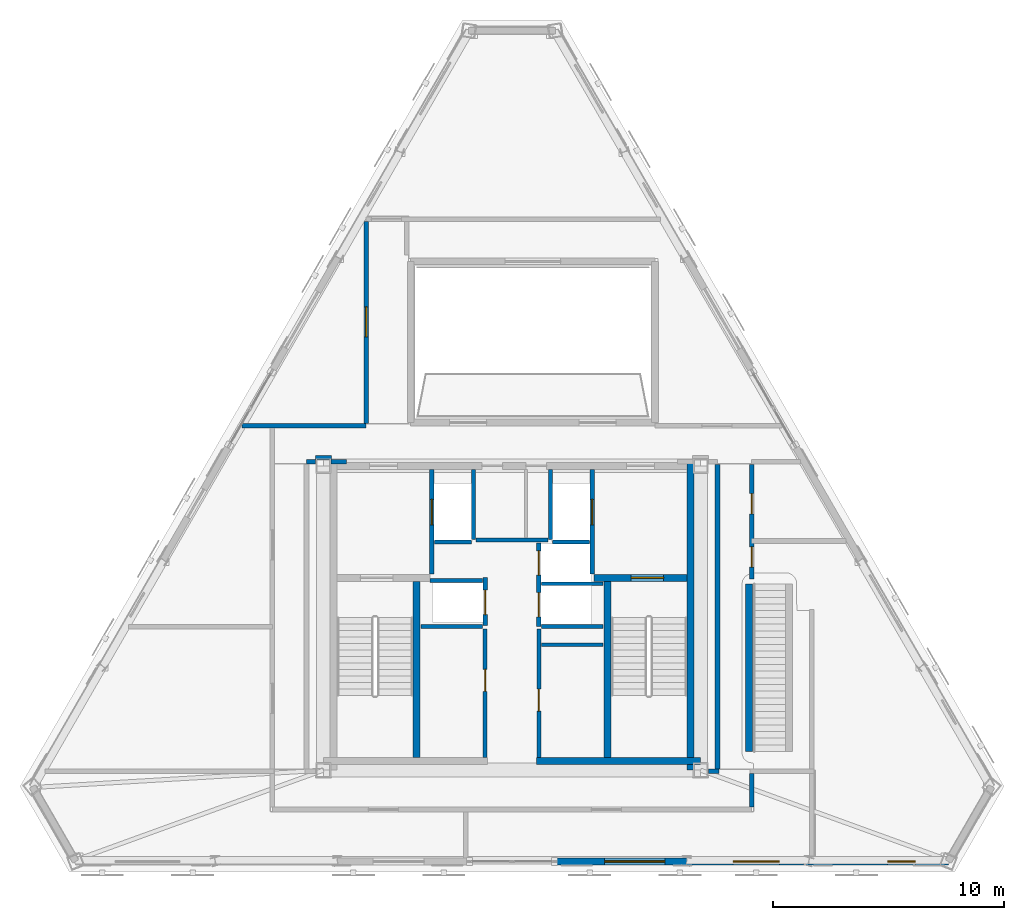
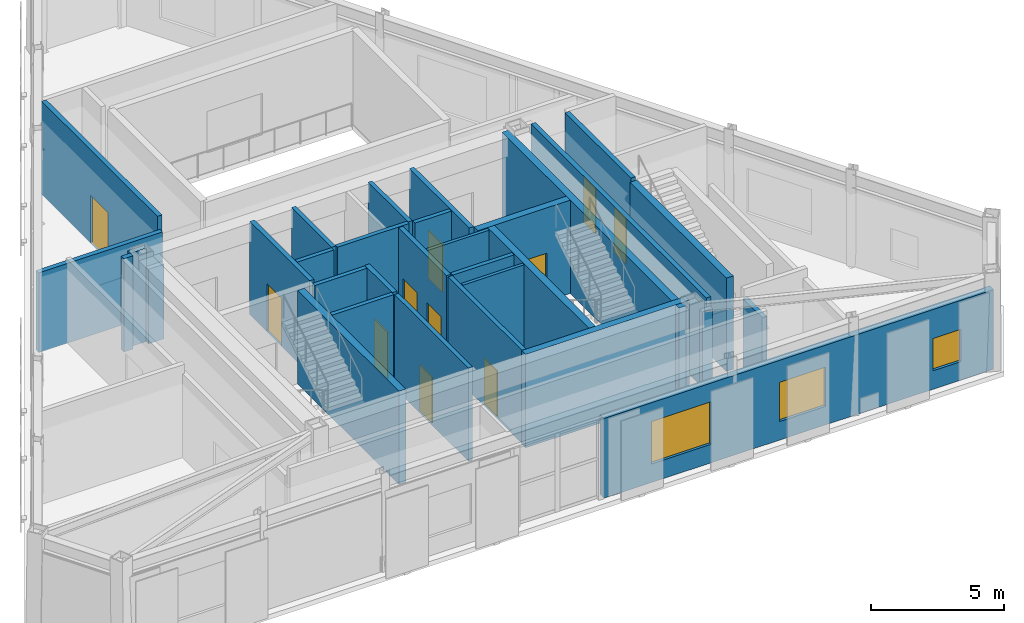
# One storey, part 10 of 15: 32 walls, 11 doors, 3 windows, 14 openings.
"""IFC4 building model written with IfcOpenShell, lengths in metres."""

from ifc_helpers import new_model, si_unit, direction, frame, frame_2d, origin, place, context, subcontext, project, spatial, rectangle, extrude, material, layer, layer_set, type_object, element, fill, save


model = new_model("IFC4")

# Units and contexts
model_context = context("Model", 3, precision=1e-05, world=origin(), true_north=direction((0.0, 1.0)))
body_context = subcontext(model_context, "Body", "Model", "MODEL_VIEW")
ifc_project = project(units=[si_unit("LENGTHUNIT", "METRE"), si_unit("AREAUNIT", "SQUARE_METRE"), si_unit("VOLUMEUNIT", "CUBIC_METRE"), si_unit("PLANEANGLEUNIT", "RADIAN"), si_unit("MASSUNIT", "GRAM", prefix="KILO")], contexts=[model_context])

# Site, building, storey
site_placement = place(None, origin())
site = spatial("IfcSite", under=ifc_project, at=site_placement, CompositionType="ELEMENT")
building_placement = place(site_placement, origin())
building = spatial("IfcBuilding", under=site, at=building_placement, Name="Oramaril Tower", CompositionType="ELEMENT")
storey_placement = place(building_placement, frame((0.0, 0.0, 305.10009765625)))
storey = spatial("IfcBuildingStorey", under=building, at=storey_placement, Name="L80", CompositionType="ELEMENT", Elevation=305.10009765625)

# Wall, openings, windows
ifc_material_1 = material(Name="Warm Cream Limestone", Category="masonry")
ifc_layer_1 = layer(ifc_material_1, 0.2900390625)
ifc_layer_set_1 = layer_set([ifc_layer_1], Name="WT-EXT29")
wall_type_1 = type_object("IfcWallType", Name="WT-EXT29", PredefinedType="SOLIDWALL", material=ifc_layer_set_1)
wall_1_placement = place(storey_placement, frame((39.449951171875, 7.0537109375, 0.0), z_axis=(0.0, 0.0, 1.0), x_axis=(1.0, 0.0, 0.0)))
wall_1 = element("IfcWall", 1, at=wall_1_placement, inside=storey, type_object=wall_type_1, Name="L80 Tower Limestone Facade Wall 2R", PredefinedType="SOLIDWALL", context=body_context, shape_type="SweptSolid", body=[
    extrude(rectangle(XDim=16.900390625, YDim=0.2900390625, at=frame_2d((8.4501953125, 0.0))), origin(), (0.0, 0.0, 1.0), 3.657958984375),
])
opening_1_placement = place(wall_1_placement, frame((2.050537109375, 0.0, 0.85009765625)))
opening_1 = element("IfcOpeningElement", 2, at=opening_1_placement, cuts=wall_1, Name="Opening WN-02", PredefinedType="OPENING", context=body_context, shape_type="SweptSolid", body=[
    extrude(rectangle(XDim=2.60009765625, YDim=1.949951171875, at=frame_2d((1.300048828125, 0.97509765625))), frame((0.0, 0.14501953125, 0.0), z_axis=(0.0, -1.0, 0.0), x_axis=(1.0, 0.0, 0.0)), (0.0, 0.0, 1.0), 0.2900390625),
])
opening_2_placement = place(wall_1_placement, frame((7.601318359375, 0.0, 0.85009765625)))
opening_2 = element("IfcOpeningElement", 3, at=opening_2_placement, cuts=wall_1, Name="Opening WN-05", PredefinedType="OPENING", context=body_context, shape_type="SweptSolid", body=[
    extrude(rectangle(XDim=2.0, YDim=1.800048828125, at=frame_2d((1.0, 0.89990234375))), frame((0.0, 0.14501953125, 0.0), z_axis=(0.0, -1.0, 0.0), x_axis=(1.0, 0.0, 0.0)), (0.0, 0.0, 1.0), 0.2900390625),
])
opening_3_placement = place(wall_1_placement, frame((14.274658203125, 0.0, 0.85009765625)))
opening_3 = element("IfcOpeningElement", 4, at=opening_3_placement, cuts=wall_1, Name="Opening WN-09", PredefinedType="OPENING", context=body_context, shape_type="SweptSolid", body=[
    extrude(rectangle(XDim=1.199951171875, YDim=1.47998046875, at=frame_2d((0.60009765625, 0.739990234375))), frame((0.0, 0.14501953125, 0.0), z_axis=(0.0, -1.0, 0.0), x_axis=(1.0, 0.0, 0.0)), (0.0, 0.0, 1.0), 0.2900390625),
])
ifc_material_2 = material(Name="Coastal Low-E Insulated Glass", Category="glass")
window_type_1 = type_object("IfcWindowType", Name="WNT-02", PartitioningType="SINGLE_PANEL", PredefinedType="WINDOW", material=ifc_material_2)
window_1_placement = place(opening_1_placement, origin())
window_1 = element("IfcWindow", 5, at=window_1_placement, inside=storey, type_object=window_type_1, Name="L80 Chicago Bay Window WN-02", OverallHeight=1.949951171875, OverallWidth=2.60009765625, PartitioningType="SINGLE_PANEL", PredefinedType="WINDOW", context=body_context, shape_type="SweptSolid", body=[
    extrude(rectangle(XDim=2.60009765625, YDim=1.949951171875, at=frame_2d((1.300048828125, 0.97509765625))), frame((0.0, 0.030029296875, 0.0), z_axis=(0.0, -1.0, 0.0), x_axis=(1.0, 0.0, 0.0)), (0.0, 0.0, 1.0), 0.06005859375),
])
fill(opening_1, window_1)
ifc_material_3 = material(Name="Coastal Low-E Insulated Glass", Category="glass")
window_type_2 = type_object("IfcWindowType", Name="WNT-05", PartitioningType="SINGLE_PANEL", PredefinedType="WINDOW", material=ifc_material_3)
window_2_placement = place(opening_2_placement, origin())
window_2 = element("IfcWindow", 6, at=window_2_placement, inside=storey, type_object=window_type_2, Name="L80 Chicago Bay Window WN-05", OverallHeight=1.800048828125, OverallWidth=2.0, PartitioningType="SINGLE_PANEL", PredefinedType="WINDOW", context=body_context, shape_type="SweptSolid", body=[
    extrude(rectangle(XDim=2.0, YDim=1.800048828125, at=frame_2d((1.0, 0.89990234375))), frame((0.0, 0.030029296875, 0.0), z_axis=(0.0, -1.0, 0.0), x_axis=(1.0, 0.0, 0.0)), (0.0, 0.0, 1.0), 0.06005859375),
])
fill(opening_2, window_2)
ifc_material_4 = material(Name="Coastal Low-E Insulated Glass", Category="glass")
window_type_3 = type_object("IfcWindowType", Name="WNT-09", PartitioningType="SINGLE_PANEL", PredefinedType="WINDOW", material=ifc_material_4)
window_3_placement = place(opening_3_placement, origin())
window_3 = element("IfcWindow", 7, at=window_3_placement, inside=storey, type_object=window_type_3, Name="L80 Chicago Bay Window WN-09", OverallHeight=1.47998046875, OverallWidth=1.199951171875, PartitioningType="SINGLE_PANEL", PredefinedType="WINDOW", context=body_context, shape_type="SweptSolid", body=[
    extrude(rectangle(XDim=1.199951171875, YDim=1.47998046875, at=frame_2d((0.60009765625, 0.739990234375))), frame((0.0, 0.030029296875, 0.0), z_axis=(0.0, -1.0, 0.0), x_axis=(1.0, 0.0, 0.0)), (0.0, 0.0, 1.0), 0.06005859375),
])
fill(opening_3, window_3)

# Walls
ifc_material_5 = material(Name="Acoustic Gypsum Board Partition")
ifc_layer_2 = layer(ifc_material_5, 0.139892578125)
ifc_layer_set_2 = layer_set([ifc_layer_2], Name="WT-PT14")
wall_type_2 = type_object("IfcWallType", Name="WT-PT14", PredefinedType="PARTITIONING", material=ifc_layer_set_2)
for number, where, z_axis, x_axis, name in (
    (8, (38.780029296875, 19.050048828125, 0.0), (0.0, 0.0, 1.0), (1.0, 0.0, 0.0), "L80 High-Rise Lift H2-H3 Divider"),
    (9, (38.780029296875, 16.419921875, 0.0), (0.0, 0.0, 1.0), (1.0, 0.0, 0.0), "L80 Freed Shaft North Closure"),
):
    element("IfcWall", number, at=place(storey_placement, frame(where, z_axis=z_axis, x_axis=x_axis)), inside=storey, type_object=wall_type_2, Name=name, PredefinedType="PARTITIONING", context=body_context, shape_type="SweptSolid", body=[
        extrude(rectangle(XDim=2.659912109375, YDim=0.139892578125, at=frame_2d((1.330078125, 0.0))), origin(), (0.0, 0.0, 1.0), 4.27978515625),
    ])
ifc_material_6 = material(Name="Autoclaved Cellular Concrete Block", Category="concrete")
ifc_layer_3 = layer(ifc_material_6, 0.179931640625)
ifc_layer_set_3 = layer_set([ifc_layer_3], Name="WT-PT18")
wall_type_3 = type_object("IfcWallType", Name="WT-PT18", PredefinedType="PARTITIONING", material=ifc_layer_set_3)
wall_2_placement = place(storey_placement, frame((35.840087890625, 20.9599609375, 0.0), z_axis=(0.0, 0.0, 1.0), x_axis=(0.0, 1.0, 0.0)))
element("IfcWall", 10, at=wall_2_placement, inside=storey, type_object=wall_type_3, Name="L80 FL-1 East Shaft Wall", PredefinedType="PARTITIONING", context=body_context, shape_type="SweptSolid", body=[
    extrude(rectangle(XDim=3.02001953125, YDim=0.179931640625, at=frame_2d((1.510009765625, 0.0))), origin(), (0.0, 0.0, 1.0), 4.27978515625),
])
wall_3_placement = place(storey_placement, frame((34.159912109375, 20.860107421875, 0.0), z_axis=(0.0, 0.0, 1.0), x_axis=(1.0, 0.0, 0.0)))
element("IfcWall", 11, at=wall_3_placement, inside=storey, type_object=wall_type_3, Name="L80 FL-1 South Shaft Wall", PredefinedType="PARTITIONING", context=body_context, shape_type="SweptSolid", body=[
    extrude(rectangle(XDim=1.580078125, YDim=0.179931640625, at=frame_2d((0.7900390625, 0.0))), origin(), (0.0, 0.0, 1.0), 4.27978515625),
])
wall_4_placement = place(storey_placement, frame((39.159912109375, 20.9599609375, 0.0), z_axis=(0.0, 0.0, 1.0), x_axis=(0.0, 1.0, 0.0)))
element("IfcWall", 12, at=wall_4_placement, inside=storey, type_object=wall_type_3, Name="L80 FL-2 West Shaft Wall", PredefinedType="PARTITIONING", context=body_context, shape_type="SweptSolid", body=[
    extrude(rectangle(XDim=3.02001953125, YDim=0.179931640625, at=frame_2d((1.510009765625, 0.0))), origin(), (0.0, 0.0, 1.0), 4.27978515625),
])
wall_5_placement = place(storey_placement, frame((39.260009765625, 20.860107421875, 0.0), z_axis=(0.0, 0.0, 1.0), x_axis=(1.0, 0.0, 0.0)))
element("IfcWall", 13, at=wall_5_placement, inside=storey, type_object=wall_type_3, Name="L80 FL-2 South Shaft Wall", PredefinedType="PARTITIONING", context=body_context, shape_type="SweptSolid", body=[
    extrude(rectangle(XDim=1.580078125, YDim=0.179931640625, at=frame_2d((0.7900390625, 0.0))), origin(), (0.0, 0.0, 1.0), 4.27978515625),
])
wall_6_placement = place(storey_placement, frame((33.949951171875, 19.199951171875, 0.0), z_axis=(0.0, 0.0, 1.0), x_axis=(1.0, 0.0, 0.0)))
element("IfcWall", 14, at=wall_6_placement, inside=storey, type_object=wall_type_3, Name="L80 High-Rise Lift H1 North Shaft Wall", PredefinedType="PARTITIONING", context=body_context, shape_type="SweptSolid", body=[
    extrude(rectangle(XDim=2.27001953125, YDim=0.179931640625, at=frame_2d((1.135009765625, 0.0))), origin(), (0.0, 0.0, 1.0), 4.27978515625),
])
wall_7_placement = place(storey_placement, frame((33.56005859375, 17.199951171875, 0.0), z_axis=(0.0, 0.0, 1.0), x_axis=(1.0, 0.0, 0.0)))
element("IfcWall", 15, at=wall_7_placement, inside=storey, type_object=wall_type_3, Name="L80 High-Rise Lift H1 South Wall", PredefinedType="PARTITIONING", context=body_context, shape_type="SweptSolid", body=[
    extrude(rectangle(XDim=2.659912109375, YDim=0.179931640625, at=frame_2d((1.330078125, 0.0))), origin(), (0.0, 0.0, 1.0), 4.27978515625),
])

# Wall, opening, door
wall_8_placement = place(storey_placement, frame((36.340087890625, 11.550048828125, 0.0), z_axis=(0.0, 0.0, 1.0), x_axis=(0.0, 1.0, 0.0)))
wall_8 = element("IfcWall", 16, at=wall_8_placement, inside=storey, type_object=wall_type_3, Name="L80 Freed Shaft Study East Wall", PredefinedType="PARTITIONING", context=body_context, shape_type="SweptSolid", body=[
    extrude(rectangle(XDim=5.550048828125, YDim=0.179931640625, at=frame_2d((2.77490234375, 0.0))), origin(), (0.0, 0.0, 1.0), 4.27978515625),
])
opening_4_placement = place(wall_8_placement, frame((2.85009765625, 0.0, 0.0)))
opening_4 = element("IfcOpeningElement", 17, at=opening_4_placement, cuts=wall_8, Name="Opening D-L80-FL1", PredefinedType="OPENING", context=body_context, shape_type="SweptSolid", body=[
    extrude(rectangle(XDim=0.949951171875, YDim=2.10009765625, at=frame_2d((0.47509765625, 1.050048828125))), frame((0.0, 0.08984375, 0.0), z_axis=(0.0, -1.0, 0.0), x_axis=(1.0, 0.0, 0.0)), (0.0, 0.0, 1.0), 0.179931640625),
])
ifc_material_7 = material(Name="FSC Brazilian Freijo Hardwood", Category="wood")
door_type_1 = type_object("IfcDoorType", Name="DT-STDY", OperationType="NOTDEFINED", PredefinedType="DOOR", material=ifc_material_7)
door_1_placement = place(opening_4_placement, origin())
door_1 = element("IfcDoor", 18, at=door_1_placement, inside=storey, type_object=door_type_1, Name="L80 L80 Observatory Archive Room Door", OperationType="SINGLE_SWING_LEFT", OverallHeight=2.10009765625, OverallWidth=0.949951171875, PredefinedType="DOOR", context=body_context, shape_type="SweptSolid", body=[
    extrude(rectangle(XDim=0.949951171875, YDim=2.10009765625, at=frame_2d((0.47509765625, 1.050048828125))), frame((0.0, 0.02490234375, 0.0), z_axis=(0.0, -1.0, 0.0), x_axis=(1.0, 0.0, 0.0)), (0.0, 0.0, 1.0), 0.050048828125),
])
fill(opening_4, door_1)

# Wall
wall_9_placement = place(storey_placement, frame((38.780029296875, 17.199951171875, 0.0), z_axis=(0.0, 0.0, 1.0), x_axis=(1.0, 0.0, 0.0)))
element("IfcWall", 19, at=wall_9_placement, inside=storey, type_object=wall_type_3, Name="L80 High-Rise Lift H2 South Wall", PredefinedType="PARTITIONING", context=body_context, shape_type="SweptSolid", body=[
    extrude(rectangle(XDim=2.659912109375, YDim=0.179931640625, at=frame_2d((1.330078125, 0.0))), origin(), (0.0, 0.0, 1.0), 4.27978515625),
])

# Wall, opening, door
wall_10_placement = place(storey_placement, frame((38.659912109375, 11.550048828125, 0.0), z_axis=(0.0, 0.0, 1.0), x_axis=(0.0, 1.0, 0.0)))
wall_10 = element("IfcWall", 20, at=wall_10_placement, inside=storey, type_object=wall_type_3, Name="L80 Freed Shaft Alcove West Wall", PredefinedType="PARTITIONING", context=body_context, shape_type="SweptSolid", body=[
    extrude(rectangle(XDim=5.550048828125, YDim=0.179931640625, at=frame_2d((2.77490234375, 0.0))), origin(), (0.0, 0.0, 1.0), 4.27978515625),
])
opening_5_placement = place(wall_10_placement, frame((2.0, 0.0, 0.0)))
opening_5 = element("IfcOpeningElement", 21, at=opening_5_placement, cuts=wall_10, Name="Opening D-L80-FM1", PredefinedType="OPENING", context=body_context, shape_type="SweptSolid", body=[
    extrude(rectangle(XDim=0.949951171875, YDim=2.10009765625, at=frame_2d((0.47509765625, 1.050048828125))), frame((0.0, 0.08984375, 0.0), z_axis=(0.0, -1.0, 0.0), x_axis=(1.0, 0.0, 0.0)), (0.0, 0.0, 1.0), 0.179931640625),
])
door_2_placement = place(opening_5_placement, origin())
door_2 = element("IfcDoor", 22, at=door_2_placement, inside=storey, type_object=door_type_1, Name="L80 L80 Atmospheric Telemetry Office Door", OperationType="SINGLE_SWING_RIGHT", OverallHeight=2.10009765625, OverallWidth=0.949951171875, PredefinedType="DOOR", context=body_context, shape_type="SweptSolid", body=[
    extrude(rectangle(XDim=0.949951171875, YDim=2.10009765625, at=frame_2d((0.47509765625, 1.050048828125))), frame((0.0, 0.02490234375, 0.0), z_axis=(0.0, -1.0, 0.0), x_axis=(1.0, 0.0, 0.0)), (0.0, 0.0, 1.0), 0.050048828125),
])
fill(opening_5, door_2)

# Walls
wall_11_placement = place(storey_placement, frame((35.949951171875, 20.949951171875, 0.0), z_axis=(0.0, 0.0, 1.0), x_axis=(1.0, 0.0, 0.0)))
element("IfcWall", 23, at=wall_11_placement, inside=storey, type_object=wall_type_3, Name="L80 Lift Lobby North Partition", PredefinedType="PARTITIONING", context=body_context, shape_type="SweptSolid", body=[
    extrude(rectangle(XDim=3.10009765625, YDim=0.179931640625, at=frame_2d((1.550048828125, 0.0))), origin(), (0.0, 0.0, 1.0), 4.27978515625),
])
ifc_material_8 = material(Name="Autoclaved Cellular Concrete Block", Category="concrete")
ifc_layer_4 = layer(ifc_material_8, 0.199951171875)
ifc_layer_set_4 = layer_set([ifc_layer_4], Name="WT-PT20")
wall_type_4 = type_object("IfcWallType", Name="WT-PT20", PredefinedType="PARTITIONING", material=ifc_layer_set_4)
wall_12_placement = place(storey_placement, frame((45.989990234375, 10.949951171875, 0.0), z_axis=(0.0, 0.0, 1.0), x_axis=(1.0, 0.0, 0.0)))
element("IfcWall", 24, at=wall_12_placement, inside=storey, type_object=wall_type_4, Name="L80 Interior Partition PT-20", PredefinedType="PARTITIONING", context=body_context, shape_type="SweptSolid", body=[
    extrude(rectangle(XDim=0.449951171875, YDim=0.199951171875, at=frame_2d((0.22509765625, 0.0))), origin(), (0.0, 0.0, 1.0), 3.865966796875),
])
wall_13_placement = place(storey_placement, frame((28.6201171875, 24.320068359375, 0.0), z_axis=(0.0, 0.0, 1.0), x_axis=(1.0, 0.0, 0.0)))
element("IfcWall", 25, at=wall_13_placement, inside=storey, type_object=wall_type_4, Name="L80 Interior Partition PT-20", PredefinedType="PARTITIONING", context=body_context, shape_type="SweptSolid", body=[
    extrude(rectangle(XDim=0.389892578125, YDim=0.199951171875, at=frame_2d((0.19482421875, 0.0))), origin(), (0.0, 0.0, 1.0), 4.27978515625),
])
wall_14_placement = place(storey_placement, frame((29.68994140625, 24.320068359375, 0.0), z_axis=(0.0, 0.0, 1.0), x_axis=(1.0, 0.0, 0.0)))
element("IfcWall", 26, at=wall_14_placement, inside=storey, type_object=wall_type_4, Name="L80 Interior Partition PT-20", PredefinedType="PARTITIONING", context=body_context, shape_type="SweptSolid", body=[
    extrude(rectangle(XDim=0.6650390625, YDim=0.199951171875, at=frame_2d((0.33251953125, 0.0))), origin(), (0.0, 0.0, 1.0), 3.419921875),
])
wall_15_placement = place(storey_placement, frame((29.0048828125, 24.5, 0.0), z_axis=(0.0, 0.0, 1.0), x_axis=(1.0, 0.0, 0.0)))
element("IfcWall", 27, at=wall_15_placement, inside=storey, type_object=wall_type_4, Name="L80 Interior Partition PT-20", PredefinedType="PARTITIONING", context=body_context, shape_type="SweptSolid", body=[
    extrude(rectangle(XDim=0.690185546875, YDim=0.199951171875, at=frame_2d((0.34521484375, 0.0))), origin(), (0.0, 0.0, 1.0), 4.27978515625),
])
wall_16_placement = place(storey_placement, frame((25.836181640625, 25.8798828125, 0.0), z_axis=(0.0, 0.0, 1.0), x_axis=(1.0, 0.0, 0.0)))
element("IfcWall", 28, at=wall_16_placement, inside=storey, type_object=wall_type_4, Name="L80 Interior Partition PT-20", PredefinedType="PARTITIONING", context=body_context, shape_type="SweptSolid", body=[
    extrude(rectangle(XDim=5.36376953125, YDim=0.199951171875, at=frame_2d((2.681884765625, 0.0))), origin(), (0.0, 0.0, 1.0), 3.657958984375),
])

# Wall, opening, door
wall_17_placement = place(storey_placement, frame((31.199951171875, 25.98388671875, 0.0), z_axis=(0.0, 0.0, 1.0), x_axis=(0.0, 1.0, 0.0)))
wall_17 = element("IfcWall", 29, at=wall_17_placement, inside=storey, type_object=wall_type_4, Name="L80 Interior Partition PT-20", PredefinedType="PARTITIONING", context=body_context, shape_type="SweptSolid", body=[
    extrude(rectangle(XDim=8.712158203125, YDim=0.199951171875, at=frame_2d((4.35595703125, 0.0))), origin(), (0.0, 0.0, 1.0), 4.27978515625),
])
opening_6_placement = place(wall_17_placement, frame((3.73095703125, 0.0, 0.0)))
opening_6 = element("IfcOpeningElement", 30, at=opening_6_placement, cuts=wall_17, Name="Opening D-L80-07", PredefinedType="OPENING", context=body_context, shape_type="SweptSolid", body=[
    extrude(rectangle(XDim=1.300048828125, YDim=2.199951171875, at=frame_2d((0.64990234375, 1.10009765625))), frame((0.0, 0.10009765625, 0.0), z_axis=(0.0, -1.0, 0.0), x_axis=(1.0, 0.0, 0.0)), (0.0, 0.0, 1.0), 0.199951171875),
])
ifc_material_9 = material(Name="FSC Brazilian Freijo Hardwood", Category="wood")
door_type_2 = type_object("IfcDoorType", Name="DT-COM", OperationType="NOTDEFINED", PredefinedType="DOOR", material=ifc_material_9)
door_3_placement = place(opening_6_placement, origin())
door_3 = element("IfcDoor", 31, at=door_3_placement, inside=storey, type_object=door_type_2, Name="L80 L80 West Portal Viewing Lounge Door D-L80-07", OperationType="SINGLE_SWING_RIGHT", OverallHeight=2.199951171875, OverallWidth=1.300048828125, PredefinedType="DOOR", context=body_context, shape_type="SweptSolid", body=[
    extrude(rectangle(XDim=1.300048828125, YDim=2.199951171875, at=frame_2d((0.64990234375, 1.10009765625))), frame((0.0, 0.02490234375, 0.0), z_axis=(0.0, -1.0, 0.0), x_axis=(1.0, 0.0, 0.0)), (0.0, 0.0, 1.0), 0.050048828125),
])
fill(opening_6, door_3)

# Walls
wall_18_placement = place(storey_placement, frame((46.3798828125, 11.053955078125, 0.0), z_axis=(0.0, 0.0, 1.0), x_axis=(0.0, 1.0, 0.0)))
element("IfcWall", 32, at=wall_18_placement, inside=storey, type_object=wall_type_4, Name="L80 Interior Partition PT-20", PredefinedType="PARTITIONING", context=body_context, shape_type="SweptSolid", body=[
    extrude(rectangle(XDim=13.162109375, YDim=0.199951171875, at=frame_2d((6.5810546875, 0.0))), origin(), (0.0, 0.0, 1.0), 4.27978515625),
])
wall_19_placement = place(storey_placement, frame((47.85009765625, 9.404052734375, 0.0), z_axis=(0.0, 0.0, 1.0), x_axis=(0.0, 1.0, 0.0)))
element("IfcWall", 33, at=wall_19_placement, inside=storey, type_object=wall_type_4, Name="L80 Interior Partition PT-20", PredefinedType="PARTITIONING", context=body_context, shape_type="SweptSolid", body=[
    extrude(rectangle(XDim=1.44189453125, YDim=0.199951171875, at=frame_2d((0.720947265625, 0.0))), origin(), (0.0, 0.0, 1.0), 3.865966796875),
])

# Wall, openings, doors
wall_20_placement = place(storey_placement, frame((47.85009765625, 19.267822265625, 0.0), z_axis=(0.0, 0.0, 1.0), x_axis=(0.0, 1.0, 0.0)))
wall_20 = element("IfcWall", 34, at=wall_20_placement, inside=storey, type_object=wall_type_4, Name="L80 Interior Partition PT-20", PredefinedType="PARTITIONING", context=body_context, shape_type="SweptSolid", body=[
    extrude(rectangle(XDim=4.9482421875, YDim=0.199951171875, at=frame_2d((2.47412109375, 0.0))), origin(), (0.0, 0.0, 1.0), 4.27978515625),
])
opening_7_placement = place(wall_20_placement, frame((0.50048828125, 0.0, 0.0)))
opening_7 = element("IfcOpeningElement", 35, at=opening_7_placement, cuts=wall_20, Name="Opening D-L80-08", PredefinedType="OPENING", context=body_context, shape_type="SweptSolid", body=[
    extrude(rectangle(XDim=0.8798828125, YDim=2.080078125, at=frame_2d((0.43994140625, 1.0400390625))), frame((0.0, 0.10009765625, 0.0), z_axis=(0.0, -1.0, 0.0), x_axis=(1.0, 0.0, 0.0)), (0.0, 0.0, 1.0), 0.199951171875),
])
opening_8_placement = place(wall_20_placement, frame((2.802978515625, 0.0, 0.0)))
opening_8 = element("IfcOpeningElement", 36, at=opening_8_placement, cuts=wall_20, Name="Opening D-L80-09", PredefinedType="OPENING", context=body_context, shape_type="SweptSolid", body=[
    extrude(rectangle(XDim=0.8798828125, YDim=2.080078125, at=frame_2d((0.43994140625, 1.0400390625))), frame((0.0, 0.10009765625, 0.0), z_axis=(0.0, -1.0, 0.0), x_axis=(1.0, 0.0, 0.0)), (0.0, 0.0, 1.0), 0.199951171875),
])
ifc_material_10 = material(Name="FSC Brazilian Freijo Hardwood", Category="wood")
door_type_3 = type_object("IfcDoorType", Name="DT-BATH", OperationType="NOTDEFINED", PredefinedType="DOOR", material=ifc_material_10)
door_4_placement = place(opening_7_placement, origin())
door_4 = element("IfcDoor", 37, at=door_4_placement, inside=storey, type_object=door_type_3, Name="L80 L80 Crown Exhibition Gallery Door D-L80-08", OperationType="SINGLE_SWING_LEFT", OverallHeight=2.080078125, OverallWidth=0.8798828125, PredefinedType="DOOR", context=body_context, shape_type="SweptSolid", body=[
    extrude(rectangle(XDim=0.8798828125, YDim=2.080078125, at=frame_2d((0.43994140625, 1.0400390625))), frame((0.0, 0.02490234375, 0.0), z_axis=(0.0, -1.0, 0.0), x_axis=(1.0, 0.0, 0.0)), (0.0, 0.0, 1.0), 0.050048828125),
])
fill(opening_7, door_4)
door_5_placement = place(opening_8_placement, origin())
door_5 = element("IfcDoor", 38, at=door_5_placement, inside=storey, type_object=door_type_3, Name="L80 L80 Observatory Washroom WC Door D-L80-09", OperationType="SINGLE_SWING_RIGHT", OverallHeight=2.080078125, OverallWidth=0.8798828125, PredefinedType="DOOR", context=body_context, shape_type="SweptSolid", body=[
    extrude(rectangle(XDim=0.8798828125, YDim=2.080078125, at=frame_2d((0.43994140625, 1.0400390625))), frame((0.0, 0.02490234375, 0.0), z_axis=(0.0, -1.0, 0.0), x_axis=(1.0, 0.0, 0.0)), (0.0, 0.0, 1.0), 0.050048828125),
])
fill(opening_8, door_5)

# Walls
ifc_material_11 = material(Name="Concrete C50/60", Category="concrete")
ifc_layer_5 = layer(ifc_material_11, 0.300048828125)
ifc_layer_set_5 = layer_set([ifc_layer_5], Name="WT-SH30")
wall_type_5 = type_object("IfcWallType", Name="WT-SH30", PredefinedType="SHEAR", material=ifc_layer_set_5)
wall_21_placement = place(storey_placement, frame((45.2099609375, 11.0, 0.0), z_axis=(0.0, 0.0, 1.0), x_axis=(0.0, 1.0, 0.0)))
element("IfcWall", 39, at=wall_21_placement, inside=storey, type_object=wall_type_5, Name="L80 Core Shear Wall CW-E", PredefinedType="SHEAR", context=body_context, shape_type="SweptSolid", body=[
    extrude(rectangle(XDim=13.300048828125, YDim=0.300048828125, at=frame_2d((6.64990234375, 0.0))), origin(), (0.0, 0.0, 1.0), 4.27978515625),
])
wall_22_placement = place(storey_placement, frame((38.550048828125, 11.389892578125, 0.0), z_axis=(0.0, 0.0, 1.0), x_axis=(1.0, 0.0, 0.0)))
element("IfcWall", 40, at=wall_22_placement, inside=storey, type_object=wall_type_5, Name="L80 Core Shear Wall CW-SE", PredefinedType="SHEAR", context=body_context, shape_type="SweptSolid", body=[
    extrude(rectangle(XDim=7.099853515625, YDim=0.300048828125, at=frame_2d((3.5498046875, 0.0))), origin(), (0.0, 0.0, 1.0), 4.27978515625),
])

# Wall, opening, door
wall_23_placement = place(storey_placement, frame((41.050048828125, 19.31005859375, 0.0), z_axis=(0.0, 0.0, 1.0), x_axis=(1.0, 0.0, 0.0)))
wall_23 = element("IfcWall", 41, at=wall_23_placement, inside=storey, type_object=wall_type_5, Name="L80 Core Shear Wall CW-ST2N", PredefinedType="SHEAR", context=body_context, shape_type="SweptSolid", body=[
    extrude(rectangle(XDim=4.010009765625, YDim=0.300048828125, at=frame_2d((2.0048828125, 0.0))), origin(), (0.0, 0.0, 1.0), 4.27978515625),
])
opening_9_placement = place(wall_23_placement, frame((1.60009765625, 0.0, 0.0)))
opening_9 = element("IfcOpeningElement", 42, at=opening_9_placement, cuts=wall_23, Name="Opening D-L80-ST2", PredefinedType="OPENING", context=body_context, shape_type="SweptSolid", body=[
    extrude(rectangle(XDim=1.39990234375, YDim=2.199951171875, at=frame_2d((0.699951171875, 1.10009765625))), frame((0.0, 0.14990234375, 0.0), z_axis=(0.0, -1.0, 0.0), x_axis=(1.0, 0.0, 0.0)), (0.0, 0.0, 1.0), 0.300048828125),
])
ifc_material_12 = material(Name="Painted Galvanised Steel", Category="steel")
door_type_4 = type_object("IfcDoorType", Name="DT-ST", OperationType="NOTDEFINED", PredefinedType="DOOR", material=ifc_material_12)
door_6_placement = place(opening_9_placement, origin())
door_6 = element("IfcDoor", 43, at=door_6_placement, inside=storey, type_object=door_type_4, Name="L80 Protected Stair ST-2 Fire Door", OperationType="SINGLE_SWING_RIGHT", OverallHeight=2.199951171875, OverallWidth=1.39990234375, PredefinedType="DOOR", context=body_context, shape_type="SweptSolid", body=[
    extrude(rectangle(XDim=1.39990234375, YDim=2.199951171875, at=frame_2d((0.699951171875, 1.10009765625))), frame((0.0, 0.02490234375, 0.0), z_axis=(0.0, -1.0, 0.0), x_axis=(1.0, 0.0, 0.0)), (0.0, 0.0, 1.0), 0.050048828125),
])
fill(opening_9, door_6)

# Walls
for number, where, z_axis, x_axis, name in (
    (44, (33.3798828125, 11.5400390625, 0.0), (0.0, 0.0, 1.0), (0.0, 1.0, 0.0), "L80 Core Shear Wall CW-ST1E"),
    (45, (41.6201171875, 11.5400390625, 0.0), (0.0, 0.0, 1.0), (0.0, 1.0, 0.0), "L80 Core Shear Wall CW-ST2W"),
):
    element("IfcWall", number, at=place(storey_placement, frame(where, z_axis=z_axis, x_axis=x_axis)), inside=storey, type_object=wall_type_5, Name=name, PredefinedType="SHEAR", context=body_context, shape_type="SweptSolid", body=[
        extrude(rectangle(XDim=7.619873046875, YDim=0.300048828125, at=frame_2d((3.81005859375, 0.0))), origin(), (0.0, 0.0, 1.0), 4.27978515625),
    ])
wall_24_placement = place(storey_placement, frame((47.735107421875, 11.800048828125, 0.0), z_axis=(0.0, 0.0, 1.0), x_axis=(0.0, 1.0, 0.0)))
element("IfcWall", 46, at=wall_24_placement, inside=storey, type_object=wall_type_5, Name="L80 Feature Stair ST-8 Support Wall L", PredefinedType="SHEAR", context=body_context, shape_type="SweptSolid", body=[
    extrude(rectangle(XDim=7.25, YDim=0.300048828125, at=frame_2d((3.625, 0.0))), origin(), (0.0, 0.0, 1.0), 4.27978515625),
])

# Wall, opening, door
ifc_material_13 = material(Name="Autoclaved Cellular Concrete Block", Category="concrete")
ifc_layer_6 = layer(ifc_material_13, 0.199951171875)
ifc_layer_set_6 = layer_set([ifc_layer_6], Name="WT-SHF20")
wall_type_6 = type_object("IfcWallType", Name="WT-SHF20", PredefinedType="PARTITIONING", material=ifc_layer_set_6)
wall_25_placement = place(storey_placement, frame((34.0400390625, 19.47998046875, 0.0), z_axis=(0.0, 0.0, 1.0), x_axis=(0.0, 1.0, 0.0)))
wall_25 = element("IfcWall", 47, at=wall_25_placement, inside=storey, type_object=wall_type_6, Name="L80 FL-1 Lobby Shaft Wall", PredefinedType="PARTITIONING", context=body_context, shape_type="SweptSolid", body=[
    extrude(rectangle(XDim=4.5, YDim=0.199951171875, at=frame_2d((2.25, 0.0))), origin(), (0.0, 0.0, 1.0), 4.27978515625),
])
opening_10_placement = place(wall_25_placement, frame((2.1201171875, 0.0, 0.0)))
opening_10 = element("IfcOpeningElement", 48, at=opening_10_placement, cuts=wall_25, Name="Opening LD-L80-FL-1", PredefinedType="OPENING", context=body_context, shape_type="SweptSolid", body=[
    extrude(rectangle(XDim=1.10009765625, YDim=2.199951171875, at=frame_2d((0.550048828125, 1.10009765625))), frame((0.0, 0.10009765625, 0.0), z_axis=(0.0, -1.0, 0.0), x_axis=(1.0, 0.0, 0.0)), (0.0, 0.0, 1.0), 0.199951171875),
])
ifc_material_14 = material(Name="Stainless Steel 316L", Category="steel")
door_type_5 = type_object("IfcDoorType", Name="DT-LD1", OperationType="NOTDEFINED", PredefinedType="DOOR", material=ifc_material_14)
door_7_placement = place(opening_10_placement, origin())
door_7 = element("IfcDoor", 49, at=door_7_placement, inside=storey, type_object=door_type_5, Name="L80 Lift FL-1 Sliding Landing Door", OperationType="SLIDING_TO_LEFT", OverallHeight=2.199951171875, OverallWidth=1.10009765625, PredefinedType="DOOR", context=body_context, shape_type="SweptSolid", body=[
    extrude(rectangle(XDim=1.10009765625, YDim=2.199951171875, at=frame_2d((0.550048828125, 1.10009765625))), frame((0.0, 0.02490234375, 0.0), z_axis=(0.0, -1.0, 0.0), x_axis=(1.0, 0.0, 0.0)), (0.0, 0.0, 1.0), 0.050048828125),
])
fill(opening_10, door_7)

wall_26_placement = place(storey_placement, frame((40.9599609375, 19.47998046875, 0.0), z_axis=(0.0, 0.0, 1.0), x_axis=(0.0, 1.0, 0.0)))
wall_26 = element("IfcWall", 50, at=wall_26_placement, inside=storey, type_object=wall_type_6, Name="L80 FL-2 Lobby Shaft Wall", PredefinedType="PARTITIONING", context=body_context, shape_type="SweptSolid", body=[
    extrude(rectangle(XDim=4.5, YDim=0.199951171875, at=frame_2d((2.25, 0.0))), origin(), (0.0, 0.0, 1.0), 4.27978515625),
])
opening_11_placement = place(wall_26_placement, frame((2.1201171875, 0.0, 0.0)))
opening_11 = element("IfcOpeningElement", 51, at=opening_11_placement, cuts=wall_26, Name="Opening LD-L80-FL-2", PredefinedType="OPENING", context=body_context, shape_type="SweptSolid", body=[
    extrude(rectangle(XDim=1.10009765625, YDim=2.199951171875, at=frame_2d((0.550048828125, 1.10009765625))), frame((0.0, 0.10009765625, 0.0), z_axis=(0.0, -1.0, 0.0), x_axis=(1.0, 0.0, 0.0)), (0.0, 0.0, 1.0), 0.199951171875),
])
door_8_placement = place(opening_11_placement, origin())
door_8 = element("IfcDoor", 52, at=door_8_placement, inside=storey, type_object=door_type_5, Name="L80 Lift FL-2 Sliding Landing Door", OperationType="SLIDING_TO_RIGHT", OverallHeight=2.199951171875, OverallWidth=1.10009765625, PredefinedType="DOOR", context=body_context, shape_type="SweptSolid", body=[
    extrude(rectangle(XDim=1.10009765625, YDim=2.199951171875, at=frame_2d((0.550048828125, 1.10009765625))), frame((0.0, 0.02490234375, 0.0), z_axis=(0.0, -1.0, 0.0), x_axis=(1.0, 0.0, 0.0)), (0.0, 0.0, 1.0), 0.050048828125),
])
fill(opening_11, door_8)

wall_27_placement = place(storey_placement, frame((36.340087890625, 17.25, 0.0), z_axis=(0.0, 0.0, 1.0), x_axis=(0.0, 1.0, 0.0)))
wall_27 = element("IfcWall", 53, at=wall_27_placement, inside=storey, type_object=wall_type_6, Name="L80 High-Rise Lift H1 Front Wall", PredefinedType="PARTITIONING", context=body_context, shape_type="SweptSolid", body=[
    extrude(rectangle(XDim=2.070068359375, YDim=0.199951171875, at=frame_2d((1.03515625, 0.0))), origin(), (0.0, 0.0, 1.0), 4.27978515625),
])
opening_12_placement = place(wall_27_placement, frame((0.47509765625, 0.0, 0.0)))
opening_12 = element("IfcOpeningElement", 54, at=opening_12_placement, cuts=wall_27, Name="Opening LD-L80-LP-H1", PredefinedType="OPENING", context=body_context, shape_type="SweptSolid", body=[
    extrude(rectangle(XDim=1.050048828125, YDim=2.14990234375, at=frame_2d((0.52490234375, 1.074951171875))), frame((0.0, 0.10009765625, 0.0), z_axis=(0.0, -1.0, 0.0), x_axis=(1.0, 0.0, 0.0)), (0.0, 0.0, 1.0), 0.199951171875),
])
ifc_material_15 = material(Name="Stainless Steel 316L", Category="steel")
door_type_6 = type_object("IfcDoorType", Name="DT-LD2", OperationType="NOTDEFINED", PredefinedType="DOOR", material=ifc_material_15)
door_9_placement = place(opening_12_placement, origin())
door_9 = element("IfcDoor", 55, at=door_9_placement, inside=storey, type_object=door_type_6, Name="L80 Lift LP-H1 Sliding Landing Door", OperationType="SLIDING_TO_LEFT", OverallHeight=2.14990234375, OverallWidth=1.050048828125, PredefinedType="DOOR", context=body_context, shape_type="SweptSolid", body=[
    extrude(rectangle(XDim=1.050048828125, YDim=2.14990234375, at=frame_2d((0.52490234375, 1.074951171875))), frame((0.0, 0.02490234375, 0.0), z_axis=(0.0, -1.0, 0.0), x_axis=(1.0, 0.0, 0.0)), (0.0, 0.0, 1.0), 0.050048828125),
])
fill(opening_12, door_9)

# Wall, openings, doors
wall_28_placement = place(storey_placement, frame((38.659912109375, 17.199951171875, 0.0), z_axis=(0.0, 0.0, 1.0), x_axis=(0.0, 1.0, 0.0)))
wall_28 = element("IfcWall", 56, at=wall_28_placement, inside=storey, type_object=wall_type_6, Name="L80 High-Rise Lift H2-H3 Front Wall", PredefinedType="PARTITIONING", context=body_context, shape_type="SweptSolid", body=[
    extrude(rectangle(XDim=3.6201171875, YDim=0.199951171875, at=frame_2d((1.81005859375, 0.0))), origin(), (0.0, 0.0, 1.0), 4.27978515625),
])
opening_13_placement = place(wall_28_placement, frame((0.425048828125, 0.0, 0.0)))
opening_13 = element("IfcOpeningElement", 57, at=opening_13_placement, cuts=wall_28, Name="Opening LD-L80-LP-H2", PredefinedType="OPENING", context=body_context, shape_type="SweptSolid", body=[
    extrude(rectangle(XDim=1.050048828125, YDim=2.14990234375, at=frame_2d((0.52490234375, 1.074951171875))), frame((0.0, 0.10009765625, 0.0), z_axis=(0.0, -1.0, 0.0), x_axis=(1.0, 0.0, 0.0)), (0.0, 0.0, 1.0), 0.199951171875),
])
opening_14_placement = place(wall_28_placement, frame((2.22509765625, 0.0, 0.0)))
opening_14 = element("IfcOpeningElement", 58, at=opening_14_placement, cuts=wall_28, Name="Opening LD-L80-LP-H3", PredefinedType="OPENING", context=body_context, shape_type="SweptSolid", body=[
    extrude(rectangle(XDim=1.050048828125, YDim=2.14990234375, at=frame_2d((0.52490234375, 1.074951171875))), frame((0.0, 0.10009765625, 0.0), z_axis=(0.0, -1.0, 0.0), x_axis=(1.0, 0.0, 0.0)), (0.0, 0.0, 1.0), 0.199951171875),
])
door_10_placement = place(opening_13_placement, origin())
door_10 = element("IfcDoor", 59, at=door_10_placement, inside=storey, type_object=door_type_6, Name="L80 Lift LP-H2 Sliding Landing Door", OperationType="SLIDING_TO_RIGHT", OverallHeight=2.14990234375, OverallWidth=1.050048828125, PredefinedType="DOOR", context=body_context, shape_type="SweptSolid", body=[
    extrude(rectangle(XDim=1.050048828125, YDim=2.14990234375, at=frame_2d((0.52490234375, 1.074951171875))), frame((0.0, 0.02490234375, 0.0), z_axis=(0.0, -1.0, 0.0), x_axis=(1.0, 0.0, 0.0)), (0.0, 0.0, 1.0), 0.050048828125),
])
fill(opening_13, door_10)
door_11_placement = place(opening_14_placement, origin())
door_11 = element("IfcDoor", 60, at=door_11_placement, inside=storey, type_object=door_type_6, Name="L80 Lift LP-H3 Sliding Landing Door", OperationType="SLIDING_TO_LEFT", OverallHeight=2.14990234375, OverallWidth=1.050048828125, PredefinedType="DOOR", context=body_context, shape_type="SweptSolid", body=[
    extrude(rectangle(XDim=1.050048828125, YDim=2.14990234375, at=frame_2d((0.52490234375, 1.074951171875))), frame((0.0, 0.02490234375, 0.0), z_axis=(0.0, -1.0, 0.0), x_axis=(1.0, 0.0, 0.0)), (0.0, 0.0, 1.0), 0.050048828125),
])
fill(opening_14, door_11)

save(model, "model.ifc")
